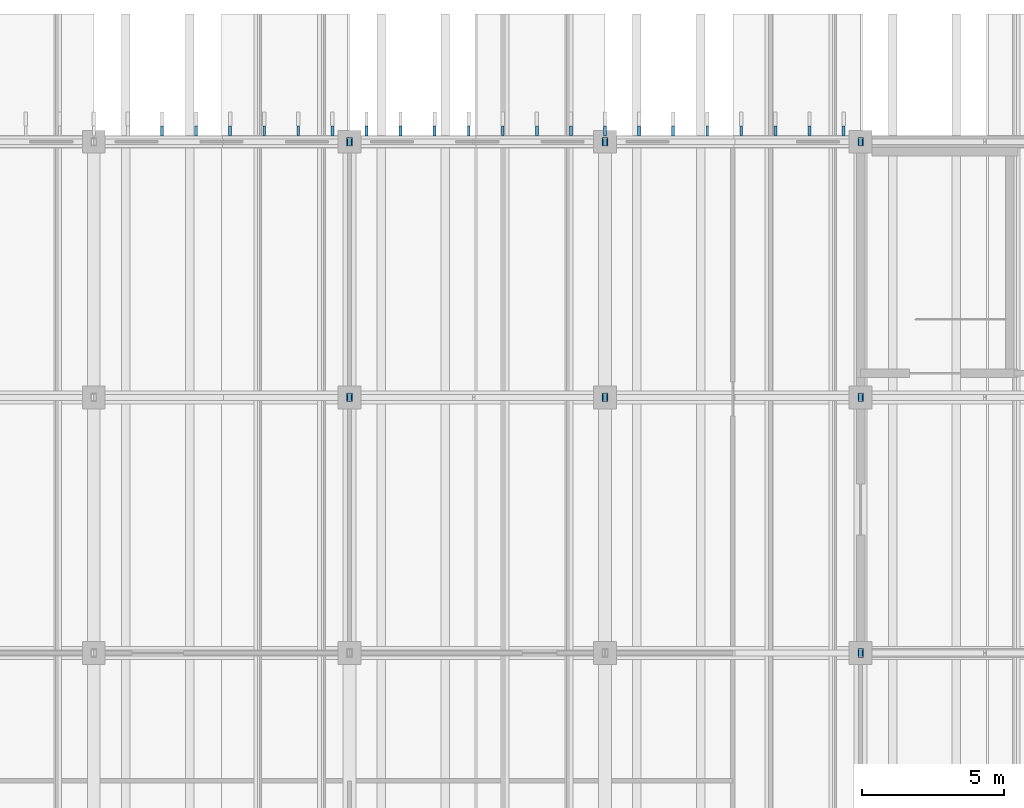
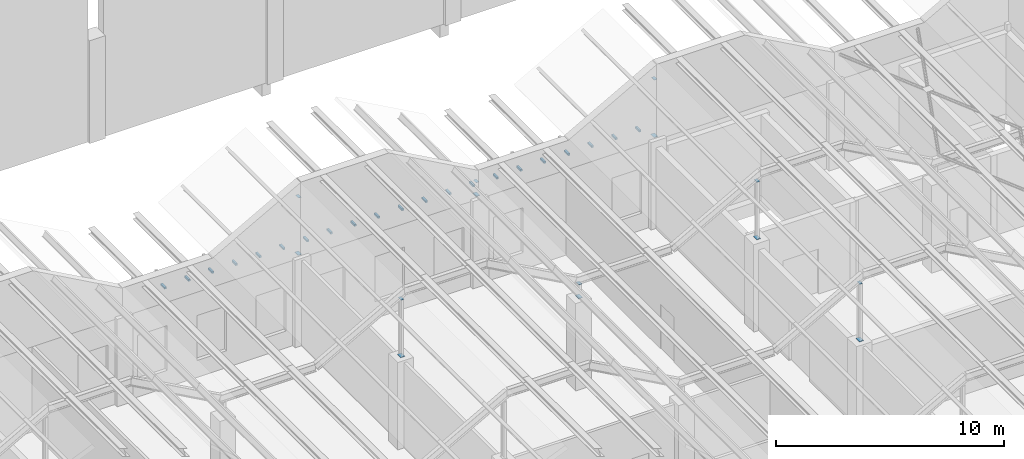
# One storey, part 353 of 437: 35 discrete accessories.
"""IFC4 building model written with IfcOpenShell, lengths in metres."""

from ifc_helpers import new_model, si_unit, direction, frame, origin, origin_2d, place, context, subcontext, project, spatial, rectangle, extrude, material, layer, layer_set, type_object, element, save


model = new_model("IFC4")

# Units and contexts
model_context = context("Model", 3, precision=1e-05, world=origin(), true_north=direction((0.0, 1.0)))
body_context = subcontext(model_context, "Body", "Model", "MODEL_VIEW")
ifc_project = project(units=[si_unit("LENGTHUNIT", "METRE"), si_unit("AREAUNIT", "SQUARE_METRE"), si_unit("VOLUMEUNIT", "CUBIC_METRE"), si_unit("PLANEANGLEUNIT", "RADIAN"), si_unit("MASSUNIT", "GRAM", prefix="KILO")], contexts=[model_context])

# Site, building, storey
site_placement = place(None, origin())
site = spatial("IfcSite", under=ifc_project, at=site_placement, CompositionType="ELEMENT")
building_placement = place(site_placement, origin())
building = spatial("IfcBuilding", under=site, at=building_placement, Name="Opaline Strait Convention Centre", CompositionType="ELEMENT")
storey_placement = place(building_placement, frame((0.0, 0.0, 11.5)))
storey = spatial("IfcBuildingStorey", under=building, at=storey_placement, Name="L02", CompositionType="ELEMENT", Elevation=11.5)

# Discrete accessories
ifc_material_1 = material(Name="Stainless steel 316", Category="steel")
discrete_accessory_type_1 = type_object("IfcDiscreteAccessoryType", Name="Fin bracket stainless steel 316", PredefinedType="BRACKET", material=ifc_material_1)
for number, where, z_axis, x_axis, name in (
    (1, (38.39990234375, 99.375, 4.949951171875), (0.0, 0.0, 1.0), (1.0, 0.0, 0.0), "Fin bracket N L02"),
    (2, (39.60009765625, 99.375, 4.949951171875), (0.0, 0.0, 1.0), (1.0, 0.0, 0.0), "Fin bracket N L02"),
    (3, (40.800048828125, 99.375, 4.949951171875), (0.0, 0.0, 1.0), (1.0, 0.0, 0.0), "Fin bracket N L02"),
    (4, (42.0, 99.375, 4.949951171875), (0.0, 0.0, 1.0), (1.0, 0.0, 0.0), "Fin bracket N L02"),
    (5, (43.199951171875, 99.375, 4.949951171875), (0.0, 0.0, 1.0), (1.0, 0.0, 0.0), "Fin bracket N L02"),
    (6, (44.39990234375, 99.375, 4.949951171875), (0.0, 0.0, 1.0), (1.0, 0.0, 0.0), "Fin bracket N L02"),
    (7, (45.60009765625, 99.375, 4.949951171875), (0.0, 0.0, 1.0), (1.0, 0.0, 0.0), "Fin bracket N L02"),
    (8, (46.800048828125, 99.375, 4.949951171875), (0.0, 0.0, 1.0), (1.0, 0.0, 0.0), "Fin bracket N L02"),
    (9, (48.0, 99.375, 4.949951171875), (0.0, 0.0, 1.0), (1.0, 0.0, 0.0), "Fin bracket N L02"),
    (10, (49.199951171875, 99.375, 4.949951171875), (0.0, 0.0, 1.0), (1.0, 0.0, 0.0), "Fin bracket N L02"),
    (11, (50.39990234375, 99.375, 4.949951171875), (0.0, 0.0, 1.0), (1.0, 0.0, 0.0), "Fin bracket N L02"),
    (12, (51.60009765625, 99.375, 4.949951171875), (0.0, 0.0, 1.0), (1.0, 0.0, 0.0), "Fin bracket N L02"),
    (13, (52.800048828125, 99.375, 4.949951171875), (0.0, 0.0, 1.0), (1.0, 0.0, 0.0), "Fin bracket N L02"),
    (14, (54.0, 99.375, 4.949951171875), (0.0, 0.0, 1.0), (1.0, 0.0, 0.0), "Fin bracket N L02"),
    (15, (55.199951171875, 99.375, 4.949951171875), (0.0, 0.0, 1.0), (1.0, 0.0, 0.0), "Fin bracket N L02"),
    (16, (56.39990234375, 99.375, 4.949951171875), (0.0, 0.0, 1.0), (1.0, 0.0, 0.0), "Fin bracket N L02"),
    (17, (57.60009765625, 99.375, 4.949951171875), (0.0, 0.0, 1.0), (1.0, 0.0, 0.0), "Fin bracket N L02"),
    (18, (58.800048828125, 99.375, 4.949951171875), (0.0, 0.0, 1.0), (1.0, 0.0, 0.0), "Fin bracket N L02"),
    (19, (60.0, 99.375, 4.949951171875), (0.0, 0.0, 1.0), (1.0, 0.0, 0.0), "Fin bracket N L02"),
    (20, (61.199951171875, 99.375, 4.949951171875), (0.0, 0.0, 1.0), (1.0, 0.0, 0.0), "Fin bracket N L02"),
    (21, (62.39990234375, 99.375, 4.949951171875), (0.0, 0.0, 1.0), (1.0, 0.0, 0.0), "Fin bracket N L02"),
):
    element("IfcDiscreteAccessory", number, at=place(storey_placement, frame(where, z_axis=z_axis, x_axis=x_axis)), inside=storey, type_object=discrete_accessory_type_1, Name=name, PredefinedType="BRACKET", context=body_context, shape_type="SweptSolid", body=[
        extrude(rectangle(XDim=0.10009765625, YDim=0.35009765625, at=origin_2d()), origin(), (0.0, 0.0, 1.0), 0.10009765625),
    ])
ifc_material_2 = material(Name="Steel Q355B", Category="steel")
ifc_layer_1 = layer(ifc_material_2, 0.02001953125)
ifc_layer_set_1 = layer_set([ifc_layer_1], Name="Steel Q355B")
discrete_accessory_type_2 = type_object("IfcDiscreteAccessoryType", Name="Roof post base plate 300 x 200 x 20", PredefinedType="ANCHORPLATE", material=ifc_layer_set_1)
for number, where, z_axis, x_axis, name in (
    (22, (63.0, 81.0, 4.669921875), (0.0, 0.0, 1.0), (1.0, 0.0, 0.0), "Roof post base plate at 63/81"),
    (23, (45.0, 90.0, 4.669921875), (0.0, 0.0, 1.0), (1.0, 0.0, 0.0), "Roof post base plate at 45/90"),
    (24, (54.0, 90.0, 4.669921875), (0.0, 0.0, 1.0), (1.0, 0.0, 0.0), "Roof post base plate at 54/90"),
    (25, (63.0, 90.0, 4.669921875), (0.0, 0.0, 1.0), (1.0, 0.0, 0.0), "Roof post base plate at 63/90"),
    (26, (45.0, 99.0, 4.669921875), (0.0, 0.0, 1.0), (1.0, 0.0, 0.0), "Roof post base plate at 45/99"),
    (27, (54.0, 99.0, 4.669921875), (0.0, 0.0, 1.0), (1.0, 0.0, 0.0), "Roof post base plate at 54/99"),
    (28, (63.0, 99.0, 4.669921875), (0.0, 0.0, 1.0), (1.0, 0.0, 0.0), "Roof post base plate at 63/99"),
):
    element("IfcDiscreteAccessory", number, at=place(storey_placement, frame(where, z_axis=z_axis, x_axis=x_axis)), inside=storey, type_object=discrete_accessory_type_2, Name=name, PredefinedType="ANCHORPLATE", context=body_context, shape_type="SweptSolid", body=[
        extrude(rectangle(XDim=0.199951171875, YDim=0.300048828125, at=origin_2d()), origin(), (0.0, 0.0, 1.0), 0.02001953125),
    ])
ifc_layer_2 = layer(ifc_material_2, 0.014892578125)
ifc_layer_set_2 = layer_set([ifc_layer_2], Name="Steel Q355B")
discrete_accessory_type_3 = type_object("IfcDiscreteAccessoryType", Name="Roof post cap plate 250 x 150 x 15", PredefinedType="ANCHORPLATE", material=ifc_layer_set_2)
for number, where, z_axis, x_axis, name in (
    (29, (63.0, 81.0, 7.72119140625), (0.0, 0.0, 1.0), (1.0, 0.0, 0.0), "Roof post cap plate at 63/81"),
    (30, (45.0, 90.0, 7.72119140625), (0.0, 0.0, 1.0), (1.0, 0.0, 0.0), "Roof post cap plate at 45/90"),
    (31, (54.0, 90.0, 5.38525390625), (0.0, 0.0, 1.0), (1.0, 0.0, 0.0), "Roof post cap plate at 54/90"),
    (32, (63.0, 90.0, 7.72119140625), (0.0, 0.0, 1.0), (1.0, 0.0, 0.0), "Roof post cap plate at 63/90"),
    (33, (45.0, 99.0, 7.72119140625), (0.0, 0.0, 1.0), (1.0, 0.0, 0.0), "Roof post cap plate at 45/99"),
    (34, (54.0, 99.0, 5.38525390625), (0.0, 0.0, 1.0), (1.0, 0.0, 0.0), "Roof post cap plate at 54/99"),
    (35, (63.0, 99.0, 7.72119140625), (0.0, 0.0, 1.0), (1.0, 0.0, 0.0), "Roof post cap plate at 63/99"),
):
    element("IfcDiscreteAccessory", number, at=place(storey_placement, frame(where, z_axis=z_axis, x_axis=x_axis)), inside=storey, type_object=discrete_accessory_type_3, Name=name, PredefinedType="ANCHORPLATE", context=body_context, shape_type="SweptSolid", body=[
        extrude(rectangle(XDim=0.14990234375, YDim=0.25, at=origin_2d()), origin(), (0.0, 0.0, 1.0), 0.014892578125),
    ])

save(model, "model.ifc")
